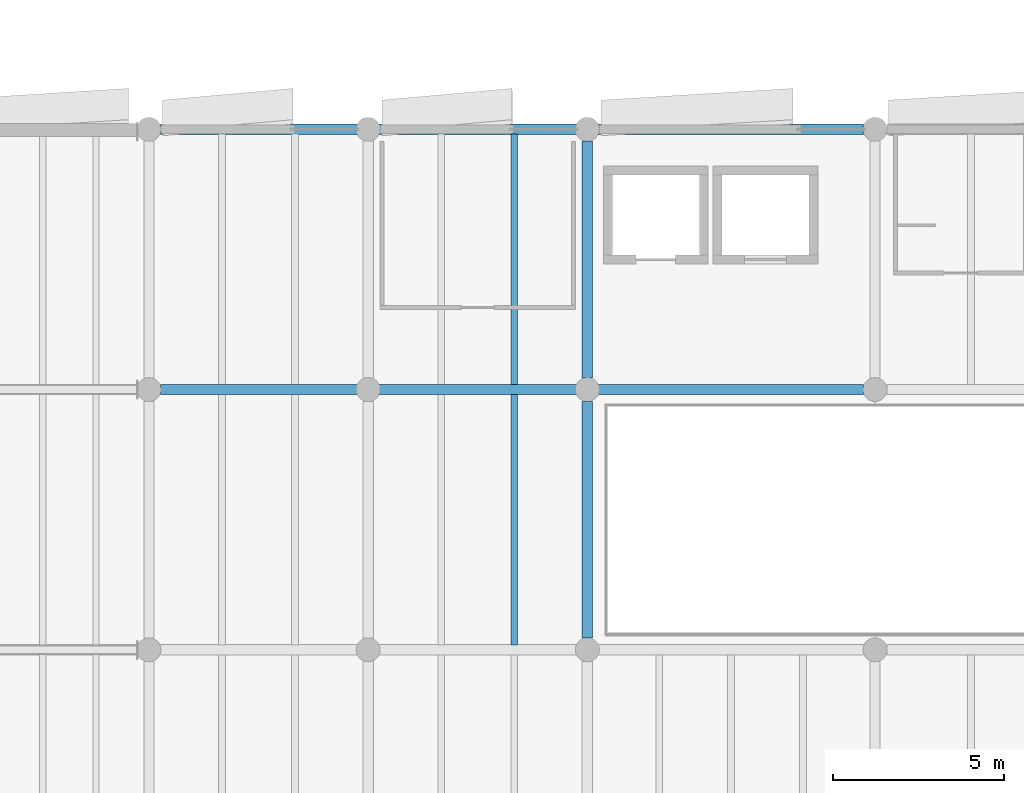
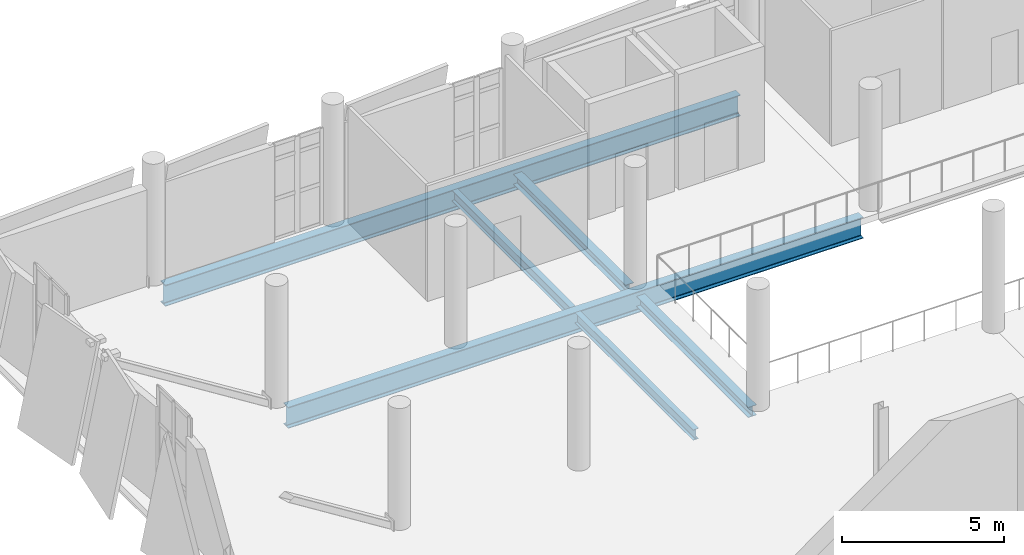
# One storey, part 23 of 74: 6 beams.
"""IFC4 building model written with IfcOpenShell, lengths in metres."""

from ifc_helpers import new_model, si_unit, direction, frame, origin, origin_2d, place, context, subcontext, project, spatial, i_section, extrude, material, material_profile, profile_set, type_object, element, save


model = new_model("IFC4")

# Units and contexts
model_context = context("Model", 3, precision=1e-05, world=origin(), true_north=direction((0.0, 1.0)))
body_context = subcontext(model_context, "Body", "Model", "MODEL_VIEW")
ifc_project = project(units=[si_unit("LENGTHUNIT", "METRE"), si_unit("AREAUNIT", "SQUARE_METRE"), si_unit("VOLUMEUNIT", "CUBIC_METRE"), si_unit("PLANEANGLEUNIT", "RADIAN"), si_unit("MASSUNIT", "GRAM", prefix="KILO")], contexts=[model_context])

# Site, building, storey
site_placement = place(None, origin())
site = spatial("IfcSite", under=ifc_project, at=site_placement, CompositionType="ELEMENT")
building_placement = place(site_placement, origin())
building = spatial("IfcBuilding", under=site, at=building_placement, Name="Shengluoqiao Park Theatre", CompositionType="ELEMENT")
storey_placement = place(building_placement, frame((0.0, 0.0, 14.60009765625)))
storey = spatial("IfcBuildingStorey", under=building, at=storey_placement, Name="L03", CompositionType="ELEMENT", Elevation=14.60009765625)

# Beams
ifc_material_1 = material(Name="Steel Q355", Category="steel")
ifc_material_profile_1 = material_profile(ifc_material_1, i_section(OverallWidth=0.300048828125, OverallDepth=0.389892578125, WebThickness=0.010009765625, FlangeThickness=0.01611328125, FilletRadius=0.01806640625, at=origin_2d()), Name="HM 390x300x10x16")
ifc_profile_set_1 = profile_set([ifc_material_profile_1], Name="Steel Q355")
beam_type_1 = type_object("IfcBeamType", Name="STR-BM-G-HM390", PredefinedType="BEAM", material=ifc_profile_set_1)
beam_1_placement = place(storey_placement, frame((19.199951171875, 61.14404296875, -0.43505859375), z_axis=(0.0, 1.0, 0.0), x_axis=(-1.0, 0.0, 0.0)))
element("IfcBeam", 1, at=beam_1_placement, inside=storey, type_object=beam_type_1, Name="L03 Transverse Girder 01316", PredefinedType="BEAM", context=body_context, shape_type="SweptSolid", body=[
    extrude(i_section(OverallWidth=0.300048828125, OverallDepth=0.389892578125, WebThickness=0.010009765625, FlangeThickness=0.01611328125, FilletRadius=0.01806640625, at=origin_2d()), origin(), (0.0, 0.0, 1.0), 6.911865234375),
])
beam_2_placement = place(storey_placement, frame((19.199951171875, 68.743896484375, -0.43505859375), z_axis=(0.0, 1.0, 0.0), x_axis=(-1.0, 0.0, 0.0)))
element("IfcBeam", 2, at=beam_2_placement, inside=storey, type_object=beam_type_1, Name="L03 Transverse Girder 01317", PredefinedType="BEAM", context=body_context, shape_type="SweptSolid", body=[
    extrude(i_section(OverallWidth=0.300048828125, OverallDepth=0.389892578125, WebThickness=0.010009765625, FlangeThickness=0.01611328125, FilletRadius=0.01806640625, at=origin_2d()), origin(), (0.0, 0.0, 1.0), 6.912109375),
])
ifc_material_2 = material(Name="Steel Q390", Category="steel")
ifc_material_profile_2 = material_profile(ifc_material_2, i_section(OverallWidth=0.300048828125, OverallDepth=0.800048828125, WebThickness=0.013916015625, FlangeThickness=0.02587890625, FilletRadius=0.02587890625, at=origin_2d()), Name="HN 800x300x14x26")
ifc_profile_set_2 = profile_set([ifc_material_profile_2], Name="Steel Q390")
beam_type_2 = type_object("IfcBeamType", Name="STR-BM-G-HN800", PredefinedType="BEAM", material=ifc_profile_set_2)
for number, where, z_axis, x_axis, name in (
    (3, (6.738037109375, 68.39990234375, -0.64013671875), (1.0, 0.0, 0.0), (0.0, 1.0, 0.0), "CT-V5-2 L03 Continuous Back-Span Chord"),
    (4, (6.738037109375, 76.0, -0.64013671875), (1.0, 0.0, 0.0), (0.0, 1.0, 0.0), "CT-V5-3 L03 Continuous Back-Span Chord"),
):
    element("IfcBeam", number, at=place(storey_placement, frame(where, z_axis=z_axis, x_axis=x_axis)), inside=storey, type_object=beam_type_2, Name=name, PredefinedType="BEAM", context=body_context, shape_type="SweptSolid", body=[
        extrude(i_section(OverallWidth=0.300048828125, OverallDepth=0.800048828125, WebThickness=0.013916015625, FlangeThickness=0.02587890625, FilletRadius=0.02587890625, at=origin_2d()), origin(), (0.0, 0.0, 1.0), 20.52392578125),
    ])
ifc_material_profile_3 = material_profile(ifc_material_1, i_section(OverallWidth=0.199951171875, OverallDepth=0.39990234375, WebThickness=0.008056640625, FlangeThickness=0.012939453125, FilletRadius=0.01611328125, at=origin_2d()), Name="HN 400x200x8x13")
ifc_profile_set_3 = profile_set([ifc_material_profile_3], Name="Steel Q355")
beam_type_3 = type_object("IfcBeamType", Name="STR-BM-J-HN400", PredefinedType="JOIST", material=ifc_profile_set_3)
beam_3_placement = place(storey_placement, frame((17.066650390625, 60.945068359375, -0.440185546875), z_axis=(0.0, 1.0, 0.0), x_axis=(-1.0, 0.0, 0.0)))
element("IfcBeam", 5, at=beam_3_placement, inside=storey, type_object=beam_type_3, Name="L03 Composite Joist 01329", PredefinedType="JOIST", context=body_context, shape_type="SweptSolid", body=[
    extrude(i_section(OverallWidth=0.199951171875, OverallDepth=0.39990234375, WebThickness=0.008056640625, FlangeThickness=0.012939453125, FilletRadius=0.01611328125, at=origin_2d()), origin(), (0.0, 0.0, 1.0), 7.309814453125),
])
beam_4_placement = place(storey_placement, frame((17.066650390625, 68.544921875, -0.440185546875), z_axis=(0.0, 1.0, 0.0), x_axis=(-1.0, 0.0, 0.0)))
element("IfcBeam", 6, at=beam_4_placement, inside=storey, type_object=beam_type_3, Name="L03 Composite Joist 01331", PredefinedType="JOIST", context=body_context, shape_type="SweptSolid", body=[
    extrude(i_section(OverallWidth=0.199951171875, OverallDepth=0.39990234375, WebThickness=0.008056640625, FlangeThickness=0.012939453125, FilletRadius=0.01611328125, at=origin_2d()), origin(), (0.0, 0.0, 1.0), 7.31005859375),
])

save(model, "model.ifc")
